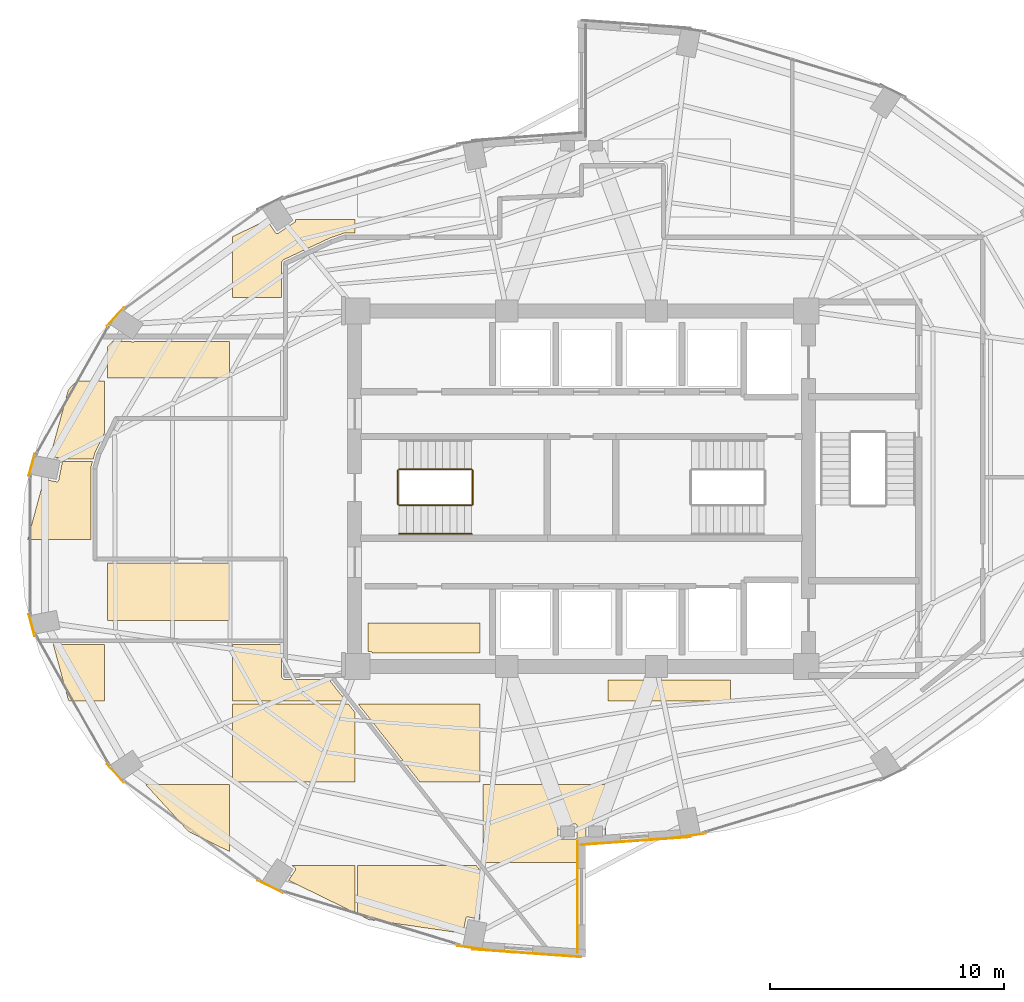
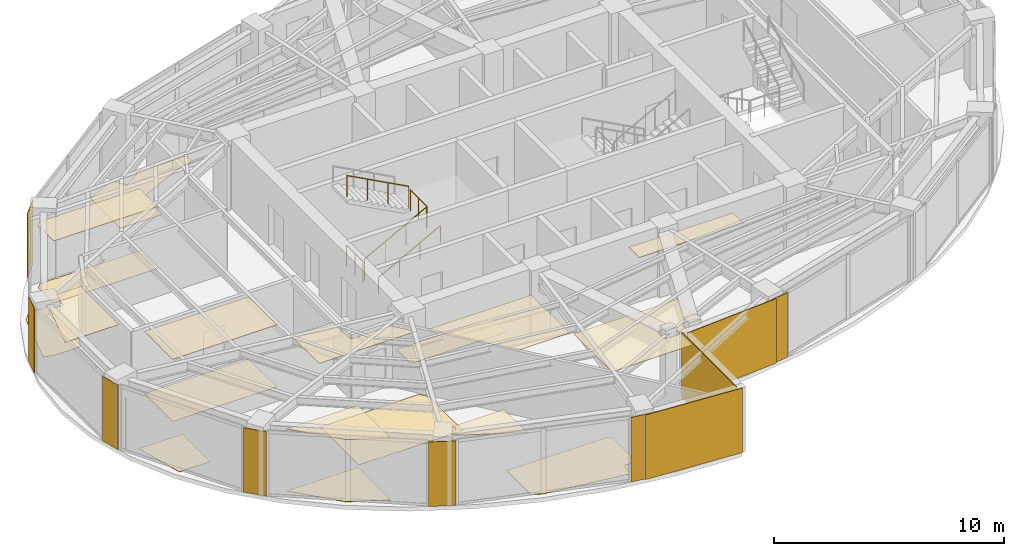
# One storey, part 19 of 20: 28 coverings, 5 railings.
"""IFC4 building model written with IfcOpenShell, lengths in metres."""

from ifc_helpers import new_model, si_unit, direction, frame, origin, origin_2d, place, context, subcontext, project, spatial, polyline, rectangle, circle, outline, extrude, material, layer, layer_set, type_object, element, save


model = new_model("IFC4")

# Units and contexts
model_context = context("Model", 3, precision=1e-05, world=origin(), true_north=direction((0.0, 1.0)))
body_context = subcontext(model_context, "Body", "Model", "MODEL_VIEW")
ifc_project = project(units=[si_unit("LENGTHUNIT", "METRE"), si_unit("AREAUNIT", "SQUARE_METRE"), si_unit("VOLUMEUNIT", "CUBIC_METRE"), si_unit("PLANEANGLEUNIT", "RADIAN"), si_unit("MASSUNIT", "GRAM", prefix="KILO")], contexts=[model_context])

# Site, building, storey
site_placement = place(None, origin())
site = spatial("IfcSite", under=ifc_project, at=site_placement, CompositionType="ELEMENT")
building_placement = place(site_placement, origin())
building = spatial("IfcBuilding", under=site, at=building_placement, Name="Lazwardi Medical Tower", CompositionType="ELEMENT")
storey_placement = place(building_placement, frame((0.0, 0.0, 149.23193359375)))
storey = spatial("IfcBuildingStorey", under=building, at=storey_placement, Name="L38", CompositionType="ELEMENT", Elevation=149.23193359375)

# Coverings
ifc_material_1 = material(Name="Anodised bronze aluminium cassette cladding", Category="aluminium")
ifc_layer_1 = layer(ifc_material_1, 0.030029296875)
ifc_layer_set_1 = layer_set([ifc_layer_1], Name="Anodised bronze aluminium cassette cladding")
covering_type_1 = type_object("IfcCoveringType", Name="COV-CLD-BRZ", PredefinedType="CLADDING", material=ifc_layer_set_1)
covering_1_placement = place(storey_placement, frame((40.67431640625, 13.17578125, 0.0), z_axis=(0.0, 0.0, 1.0), x_axis=(0.989539138138, 0.144264666823, 0.0)))
element("IfcCovering", 1, at=covering_1_placement, inside=storey, type_object=covering_type_1, Name="L38 Mega-column bronze cassette cover M01", PredefinedType="CLADDING", context=body_context, shape_type="SweptSolid", body=[
    extrude(rectangle(XDim=1.28515625, YDim=0.030029296875, at=origin_2d()), origin(), (0.0, 0.0, 1.0), 3.427978515625),
])
covering_2_placement = place(storey_placement, frame((16.07861328125, 35.356689453125, 0.0), z_axis=(0.0, 0.0, 1.0), x_axis=(-0.673714459537, -0.738991763832, 0.0)))
element("IfcCovering", 2, at=covering_2_placement, inside=storey, type_object=covering_type_1, Name="L38 Mega-column bronze cassette cover M11", PredefinedType="CLADDING", context=body_context, shape_type="SweptSolid", body=[
    extrude(rectangle(XDim=1.0693359375, YDim=0.030029296875, at=origin_2d()), origin(), (0.0, 0.0, 1.0), 3.427978515625),
])
for number, where, z_axis, x_axis, name in (
    (3, (12.501220703125, 29.026123046875, 0.0), (0.0, 0.0, 1.0), (-0.261828726257, -0.965114354938, 0.0), "L38 Mega-column bronze cassette cover M12"),
    (4, (12.501220703125, 22.173828125, 0.0), (0.0, 0.0, 1.0), (0.261828726257, -0.965114354938, 0.0), "L38 Mega-column bronze cassette cover M13"),
):
    element("IfcCovering", number, at=place(storey_placement, frame(where, z_axis=z_axis, x_axis=x_axis)), inside=storey, type_object=covering_type_1, Name=name, PredefinedType="CLADDING", context=body_context, shape_type="SweptSolid", body=[
        extrude(rectangle(XDim=0.9658203125, YDim=0.030029296875, at=origin_2d()), origin(), (0.0, 0.0, 1.0), 3.427978515625),
    ])
covering_3_placement = place(storey_placement, frame((16.07861328125, 15.84326171875, 0.0), z_axis=(0.0, 0.0, 1.0), x_axis=(0.673714459537, -0.738991763832, 0.0)))
element("IfcCovering", 5, at=covering_3_placement, inside=storey, type_object=covering_type_1, Name="L38 Mega-column bronze cassette cover M14", PredefinedType="CLADDING", context=body_context, shape_type="SweptSolid", body=[
    extrude(rectangle(XDim=1.0693359375, YDim=0.030029296875, at=origin_2d()), origin(), (0.0, 0.0, 1.0), 3.427978515625),
])
covering_4_placement = place(storey_placement, frame((22.68896484375, 10.998046875, 0.0), z_axis=(0.0, 0.0, 1.0), x_axis=(0.898079014814, -0.439834154144, 0.0)))
element("IfcCovering", 6, at=covering_4_placement, inside=storey, type_object=covering_type_1, Name="L38 Mega-column bronze cassette cover M15", PredefinedType="CLADDING", context=body_context, shape_type="SweptSolid", body=[
    extrude(rectangle(XDim=1.200439453125, YDim=0.030029296875, at=origin_2d()), origin(), (0.0, 0.0, 1.0), 3.427978515625),
])
covering_5_placement = place(storey_placement, frame((31.32568359375, 8.3759765625, 0.0), z_axis=(0.0, 0.0, 1.0), x_axis=(0.989539138138, -0.144264666823, 0.0)))
element("IfcCovering", 7, at=covering_5_placement, inside=storey, type_object=covering_type_1, Name="L38 Mega-column bronze cassette cover M16", PredefinedType="CLADDING", context=body_context, shape_type="SweptSolid", body=[
    extrude(rectangle(XDim=1.28515625, YDim=0.030029296875, at=origin_2d()), origin(), (0.0, 0.0, 1.0), 3.427978515625),
])
ifc_material_2 = material(Name="Turquoise glazed ceramic tilework cladding", Category="masonry")
ifc_layer_2 = layer(ifc_material_2, 0.034912109375)
ifc_layer_set_2 = layer_set([ifc_layer_2], Name="Turquoise glazed ceramic tilework cladding")
covering_type_2 = type_object("IfcCoveringType", Name="COV-CLD-TRQ", PredefinedType="CLADDING", material=ifc_layer_set_2)
covering_6_placement = place(storey_placement, frame((38.338134765625, 12.952392578125, 0.0), z_axis=(0.0, 0.0, 1.0), x_axis=(0.997414510753, 0.071863020663, 0.0)))
element("IfcCovering", 8, at=covering_6_placement, inside=storey, type_object=covering_type_2, Name="L38 Turquoise glazed ceramic tilework cladding", PredefinedType="CLADDING", context=body_context, shape_type="SweptSolid", body=[
    extrude(rectangle(XDim=4.6630859375, YDim=0.034912109375, at=origin_2d()), origin(), (0.0, 0.0, 1.0), 3.427978515625),
])
covering_7_placement = place(storey_placement, frame((33.66162109375, 8.152587890625, 0.0), z_axis=(0.0, 0.0, 1.0), x_axis=(0.997414134466, -0.071868243112, 0.0)))
element("IfcCovering", 9, at=covering_7_placement, inside=storey, type_object=covering_type_2, Name="L38 Turquoise glazed ceramic tilework cladding", PredefinedType="CLADDING", context=body_context, shape_type="SweptSolid", body=[
    extrude(rectangle(XDim=4.66259765625, YDim=0.034912109375, at=origin_2d()), origin(), (0.0, 0.0, 1.0), 3.427978515625),
])
covering_8_placement = place(storey_placement, frame((35.824462890625, 10.56005859375, 0.0), z_axis=(0.0, 0.0, 1.0), x_axis=(0.0, 1.0, 0.0)))
element("IfcCovering", 10, at=covering_8_placement, inside=storey, type_object=covering_type_2, Name="L38 Turquoise glazed ceramic tilework iwan panel", PredefinedType="CLADDING", context=body_context, shape_type="SweptSolid", body=[
    extrude(rectangle(XDim=4.800048828125, YDim=0.034912109375, at=origin_2d()), origin(), (0.0, 0.0, 1.0), 3.427978515625),
])
ifc_material_3 = material(Name="Acoustic mineral fibre tile")
ifc_layer_3 = layer(ifc_material_3, 0.02490234375)
ifc_layer_set_3 = layer_set([ifc_layer_3], Name="Acoustic mineral fibre tile")
covering_type_3 = type_object("IfcCoveringType", Name="COV-CLG-01", PredefinedType="CEILING", material=ifc_layer_set_3)
covering_9_placement = place(storey_placement, frame((0.0, 0.0, 3.282958984375)))
element("IfcCovering", 11, at=covering_9_placement, inside=storey, type_object=covering_type_3, Name="L38 Clinical Acoustic Ceiling 1", PredefinedType="CEILING", context=body_context, shape_type="SweptSolid", body=[
    extrude(outline(polyline([(13.810302734375, 29.152587890625), (13.65234375, 28.3583984375), (13.650390625, 28.3505859375), (13.647705078125, 28.34326171875), (13.644287109375, 28.336181640625), (13.640380859375, 28.32958984375), (13.635498046875, 28.322998046875), (13.63037109375, 28.3173828125), (13.62451171875, 28.31201171875), (13.6181640625, 28.307373046875), (13.611572265625, 28.30322265625), (13.6044921875, 28.300048828125), (13.596923828125, 28.29736328125), (13.58935546875, 28.29541015625), (13.58154296875, 28.294189453125), (13.57373046875, 28.2939453125), (13.56591796875, 28.294189453125), (13.55810546875, 28.29541015625), (13.02490234375, 28.401611328125), (12.323486328125, 25.822509765625), (15.02490234375, 25.822509765625), (15.02490234375, 28.881103515625), (15.025146484375, 28.884765625), (15.025390625, 28.8935546875), (15.026123046875, 28.90087890625), (15.02734375, 28.90966796875), (15.02880859375, 28.91650390625), (15.03076171875, 28.92529296875), (15.031494140625, 28.928955078125), (15.09521484375, 29.152587890625), (13.810302734375, 29.152587890625)])), origin(), (0.0, 0.0, 1.0), 0.025146484375),
])
covering_10_placement = place(storey_placement, frame((0.0, 0.0, 3.282958984375)))
element("IfcCovering", 12, at=covering_10_placement, inside=storey, type_object=covering_type_3, Name="L38 Clinical Acoustic Ceiling 2", PredefinedType="CEILING", context=body_context, shape_type="SweptSolid", body=[
    extrude(outline(polyline([(17.37353515625, 15.3525390625), (19.20556640625, 13.347412109375), (20.962890625, 12.488525390625), (20.962890625, 15.3525390625), (17.37353515625, 15.3525390625)])), origin(), (0.0, 0.0, 1.0), 0.025146484375),
])
covering_11_placement = place(storey_placement, frame((0.0, 0.0, 3.282958984375)))
element("IfcCovering", 13, at=covering_11_placement, inside=storey, type_object=covering_type_3, Name="L38 Clinical Acoustic Ceiling 3", PredefinedType="CEILING", context=body_context, shape_type="SweptSolid", body=[
    extrude(outline(polyline([(20.962890625, 24.824951171875), (15.73291015625, 24.824951171875), (15.73291015625, 22.37255859375), (20.962890625, 22.37255859375), (20.962890625, 24.824951171875)])), origin(), (0.0, 0.0, 1.0), 0.025146484375),
])
covering_12_placement = place(storey_placement, frame((0.0, 0.0, 3.282958984375)))
element("IfcCovering", 14, at=covering_12_placement, inside=storey, type_object=covering_type_3, Name="L38 Clinical Acoustic Ceiling 4", PredefinedType="CEILING", context=body_context, shape_type="SweptSolid", body=[
    extrude(outline(polyline([(20.962890625, 34.300048828125), (16.887939453125, 34.300048828125), (16.88671875, 34.29833984375), (16.882080078125, 34.2919921875), (16.876708984375, 34.2861328125), (16.87109375, 34.281005859375), (16.86474609375, 34.276123046875), (16.85791015625, 34.272216796875), (16.850830078125, 34.268798828125), (16.843505859375, 34.26611328125), (16.835693359375, 34.26416015625), (16.827880859375, 34.26318359375), (16.8203125, 34.2626953125), (16.8125, 34.26318359375), (16.8046875, 34.26416015625), (16.797119140625, 34.26611328125), (16.78955078125, 34.268798828125), (16.782470703125, 34.272216796875), (16.775634765625, 34.276123046875), (16.739990234375, 34.300048828125), (15.959716796875, 34.300048828125), (15.73291015625, 34.0517578125), (15.73291015625, 32.722412109375), (20.962890625, 32.722412109375), (20.962890625, 34.300048828125)])), origin(), (0.0, 0.0, 1.0), 0.025146484375),
])
covering_13_placement = place(storey_placement, frame((0.0, 0.0, 3.282958984375)))
element("IfcCovering", 15, at=covering_13_placement, inside=storey, type_object=covering_type_3, Name="L38 Clinical Acoustic Ceiling 5", PredefinedType="CEILING", context=body_context, shape_type="SweptSolid", body=[
    extrude(outline(polyline([(23.604736328125, 11.902587890625), (23.74609375, 11.80810546875), (23.75244140625, 11.803466796875), (23.75830078125, 11.798095703125), (23.763427734375, 11.79248046875), (23.76806640625, 11.785888671875), (23.772216796875, 11.779296875), (23.775390625, 11.772216796875), (23.7783203125, 11.764892578125), (23.780029296875, 11.757080078125), (23.78125, 11.74951171875), (23.781494140625, 11.74169921875), (23.78125, 11.73388671875), (23.780029296875, 11.72607421875), (23.7783203125, 11.718505859375), (23.775390625, 11.7109375), (23.772216796875, 11.703857421875), (23.76806640625, 11.697021484375), (23.476318359375, 11.260498046875), (26.31298828125, 9.87451171875), (26.31298828125, 11.902587890625), (23.604736328125, 11.902587890625)])), origin(), (0.0, 0.0, 1.0), 0.025146484375),
])
covering_14_placement = place(storey_placement, frame((0.0, 0.0, 3.282958984375)))
element("IfcCovering", 16, at=covering_14_placement, inside=storey, type_object=covering_type_3, Name="L38 Clinical Acoustic Ceiling 6", PredefinedType="CEILING", context=body_context, shape_type="SweptSolid", body=[
    extrude(outline(polyline([(25.93408203125, 18.922607421875), (25.203857421875, 19.844970703125), (23.35009765625, 19.844970703125), (23.345703125, 19.84521484375), (23.33642578125, 19.845703125), (23.32958984375, 19.84619140625), (23.3203125, 19.84765625), (23.31201171875, 19.84912109375), (23.302734375, 19.8515625), (23.2958984375, 19.853515625), (23.287109375, 19.856689453125), (23.279296875, 19.860107421875), (23.270751953125, 19.864013671875), (23.263916015625, 19.86767578125), (23.256103515625, 19.872314453125), (23.249267578125, 19.876953125), (23.24169921875, 19.882568359375), (23.236083984375, 19.88720703125), (23.229248046875, 19.893310546875), (23.223388671875, 19.8994140625), (23.217041015625, 19.90625), (23.21240234375, 19.911865234375), (23.206787109375, 19.919189453125), (23.202392578125, 19.926025390625), (23.197509765625, 19.93408203125), (23.194091796875, 19.94091796875), (23.18994140625, 19.94921875), (23.186767578125, 19.95703125), (23.18359375, 19.9658203125), (23.181396484375, 19.972900390625), (23.17919921875, 19.98193359375), (23.177490234375, 19.990234375), (23.17626953125, 19.99951171875), (23.175537109375, 20.00634765625), (23.175048828125, 20.015625), (23.175048828125, 20.02001953125), (23.175048828125, 21.3349609375), (21.0830078125, 21.3349609375), (21.0830078125, 18.922607421875), (25.93408203125, 18.922607421875)])), origin(), (0.0, 0.0, 1.0), 0.025146484375),
])
covering_15_placement = place(storey_placement, frame((0.0, 0.0, 3.282958984375)))
element("IfcCovering", 17, at=covering_15_placement, inside=storey, type_object=covering_type_3, Name="L38 Clinical Acoustic Ceiling 7", PredefinedType="CEILING", context=body_context, shape_type="SweptSolid", body=[
    extrude(outline(polyline([(26.4501953125, 18.802490234375), (29.08642578125, 15.472412109375), (31.662841796875, 15.472412109375), (31.662841796875, 18.802490234375), (26.4501953125, 18.802490234375)])), origin(), (0.0, 0.0, 1.0), 0.025146484375),
])
covering_16_placement = place(storey_placement, frame((0.0, 0.0, 3.282958984375)))
element("IfcCovering", 18, at=covering_16_placement, inside=storey, type_object=covering_type_3, Name="L38 Clinical Acoustic Ceiling 8", PredefinedType="CEILING", context=body_context, shape_type="SweptSolid", body=[
    extrude(outline(polyline([(31.782958984375, 12.06640625), (31.817626953125, 12.0224609375), (35.919921875, 12.0224609375), (35.919921875, 12.97998046875), (35.92041015625, 12.987548828125), (35.92138671875, 12.9951171875), (35.923095703125, 13.00244140625), (35.92578125, 13.009765625), (35.928955078125, 13.0166015625), (35.9326171875, 13.023193359375), (35.93701171875, 13.029296875), (35.942138671875, 13.03515625), (35.947509765625, 13.040283203125), (35.95361328125, 13.045166015625), (35.9599609375, 13.04931640625), (35.966796875, 13.052734375), (35.9736328125, 13.0556640625), (35.98095703125, 13.0576171875), (35.988525390625, 13.05908203125), (36.201416015625, 13.090087890625), (36.200439453125, 13.09716796875), (36.199951171875, 13.10498046875), (36.199951171875, 13.594970703125), (36.200439453125, 13.602783203125), (36.201416015625, 13.610595703125), (36.203369140625, 13.6181640625), (36.2060546875, 13.62548828125), (36.20947265625, 13.6328125), (36.21337890625, 13.639404296875), (36.21826171875, 13.645751953125), (36.223388671875, 13.651611328125), (36.229248046875, 13.65673828125), (36.235595703125, 13.66162109375), (36.2421875, 13.66552734375), (36.24951171875, 13.6689453125), (36.2568359375, 13.671630859375), (36.264404296875, 13.673583984375), (36.272216796875, 13.674560546875), (36.280029296875, 13.675048828125), (36.919921875, 13.675048828125), (36.927734375, 13.674560546875), (36.935546875, 13.673583984375), (36.943115234375, 13.671630859375), (36.95068359375, 13.6689453125), (36.957763671875, 13.66552734375), (36.96435546875, 13.66162109375), (36.970703125, 13.65673828125), (36.9765625, 13.651611328125), (36.981689453125, 13.645751953125), (36.986572265625, 13.639404296875), (36.990478515625, 13.6328125), (36.993896484375, 13.62548828125), (36.99658203125, 13.6181640625), (36.99853515625, 13.610595703125), (36.99951171875, 13.602783203125), (37.0, 13.594970703125), (37.0, 13.206298828125), (37.012939453125, 13.208251953125), (37.012939453125, 15.3525390625), (31.782958984375, 15.3525390625), (31.782958984375, 12.06640625)]), holes=[polyline([(35.7431640625, 13.0283203125), (35.735595703125, 13.026611328125), (35.727783203125, 13.025390625), (35.719970703125, 13.02490234375), (35.080078125, 13.02490234375), (35.072265625, 13.025390625), (35.064453125, 13.026611328125), (35.056884765625, 13.0283203125), (35.04931640625, 13.031005859375), (35.042236328125, 13.034423828125), (35.03564453125, 13.03857421875), (35.029296875, 13.043212890625), (35.0234375, 13.04833984375), (35.018310546875, 13.05419921875), (35.013427734375, 13.060546875), (35.009521484375, 13.0673828125), (35.006103515625, 13.074462890625), (35.00341796875, 13.081787109375), (35.00146484375, 13.08935546875), (35.00048828125, 13.09716796875), (35.0, 13.10498046875), (35.0, 13.594970703125), (35.00048828125, 13.602783203125), (35.00146484375, 13.610595703125), (35.00341796875, 13.6181640625), (35.006103515625, 13.62548828125), (35.009521484375, 13.6328125), (35.013427734375, 13.639404296875), (35.018310546875, 13.645751953125), (35.0234375, 13.651611328125), (35.029296875, 13.65673828125), (35.03564453125, 13.66162109375), (35.042236328125, 13.66552734375), (35.04931640625, 13.6689453125), (35.056884765625, 13.671630859375), (35.064453125, 13.673583984375), (35.072265625, 13.674560546875), (35.080078125, 13.675048828125), (35.719970703125, 13.675048828125), (35.727783203125, 13.674560546875), (35.735595703125, 13.673583984375), (35.7431640625, 13.671630859375), (35.75048828125, 13.6689453125), (35.7578125, 13.66552734375), (35.764404296875, 13.66162109375), (35.770751953125, 13.65673828125), (35.776611328125, 13.651611328125), (35.78173828125, 13.645751953125), (35.78662109375, 13.639404296875), (35.79052734375, 13.6328125), (35.7939453125, 13.62548828125), (35.796630859375, 13.6181640625), (35.798583984375, 13.610595703125), (35.799560546875, 13.602783203125), (35.800048828125, 13.594970703125), (35.800048828125, 13.10498046875), (35.799560546875, 13.09716796875), (35.798583984375, 13.08935546875), (35.796630859375, 13.081787109375), (35.7939453125, 13.074462890625), (35.79052734375, 13.0673828125), (35.78662109375, 13.060546875), (35.78173828125, 13.05419921875), (35.776611328125, 13.04833984375), (35.770751953125, 13.043212890625), (35.764404296875, 13.03857421875), (35.7578125, 13.034423828125), (35.75048828125, 13.031005859375), (35.7431640625, 13.0283203125)])]), origin(), (0.0, 0.0, 1.0), 0.025146484375),
])
covering_17_placement = place(storey_placement, frame((0.0, 0.0, 3.282958984375)))
element("IfcCovering", 19, at=covering_17_placement, inside=storey, type_object=covering_type_3, Name="L38 Clinical Acoustic Ceiling 9", PredefinedType="CEILING", context=body_context, shape_type="SweptSolid", body=[
    extrude(outline(polyline([(42.36279296875, 19.820068359375), (37.1328125, 19.820068359375), (37.1328125, 18.922607421875), (42.36279296875, 18.922607421875), (42.36279296875, 19.820068359375)])), origin(), (0.0, 0.0, 1.0), 0.025146484375),
])
ifc_material_4 = material(Name="Anti-static hospital vinyl sheet flooring")
ifc_layer_4 = layer(ifc_material_4, 0.014892578125)
ifc_layer_set_4 = layer_set([ifc_layer_4], Name="Anti-static hospital vinyl sheet flooring")
covering_type_4 = type_object("IfcCoveringType", Name="COV-FLR-01", PredefinedType="FLOORING", material=ifc_layer_set_4)
covering_18_placement = place(storey_placement, origin())
element("IfcCovering", 20, at=covering_18_placement, inside=storey, type_object=covering_type_4, Name="L38 Clinical Vinyl Flooring 1", PredefinedType="FLOORING", context=body_context, shape_type="SweptSolid", body=[
    extrude(outline(polyline([(15.61279296875, 21.3349609375), (13.423095703125, 21.3349609375), (14.065185546875, 18.973388671875), (14.11181640625, 18.922607421875), (15.61279296875, 18.922607421875), (15.61279296875, 21.3349609375)])), origin(), (0.0, 0.0, 1.0), 0.01513671875),
])
covering_19_placement = place(storey_placement, origin())
element("IfcCovering", 21, at=covering_19_placement, inside=storey, type_object=covering_type_4, Name="L38 Clinical Vinyl Flooring 2", PredefinedType="FLOORING", context=body_context, shape_type="SweptSolid", body=[
    extrude(outline(polyline([(14.40869140625, 32.6025390625), (14.065185546875, 32.2265625), (13.293212890625, 29.38818359375), (13.757080078125, 29.2958984375), (13.764892578125, 29.2939453125), (13.772216796875, 29.291259765625), (13.779296875, 29.2880859375), (13.785888671875, 29.283935546875), (13.79248046875, 29.279296875), (13.798095703125, 29.27392578125), (13.799560546875, 29.2724609375), (15.129150390625, 29.2724609375), (15.199462890625, 29.519775390625), (15.200439453125, 29.523193359375), (15.203125, 29.531005859375), (15.20556640625, 29.53759765625), (15.208984375, 29.545166015625), (15.210205078125, 29.548095703125), (15.61279296875, 30.37890625), (15.61279296875, 32.6025390625), (14.40869140625, 32.6025390625)])), origin(), (0.0, 0.0, 1.0), 0.01513671875),
])
covering_20_placement = place(storey_placement, origin())
element("IfcCovering", 22, at=covering_20_placement, inside=storey, type_object=covering_type_4, Name="L38 Clinical Vinyl Flooring 3", PredefinedType="FLOORING", context=body_context, shape_type="SweptSolid", body=[
    extrude(outline(polyline([(17.37353515625, 15.3525390625), (19.20556640625, 13.347412109375), (20.962890625, 12.488525390625), (20.962890625, 15.3525390625), (17.37353515625, 15.3525390625)])), origin(), (0.0, 0.0, 1.0), 0.01513671875),
])
covering_21_placement = place(storey_placement, origin())
element("IfcCovering", 23, at=covering_21_placement, inside=storey, type_object=covering_type_4, Name="L38 Clinical Vinyl Flooring 4", PredefinedType="FLOORING", context=body_context, shape_type="SweptSolid", body=[
    extrude(outline(polyline([(20.962890625, 24.824951171875), (15.73291015625, 24.824951171875), (15.73291015625, 22.37255859375), (20.962890625, 22.37255859375), (20.962890625, 24.824951171875)])), origin(), (0.0, 0.0, 1.0), 0.01513671875),
])
covering_22_placement = place(storey_placement, origin())
element("IfcCovering", 24, at=covering_22_placement, inside=storey, type_object=covering_type_4, Name="L38 Clinical Vinyl Flooring 5", PredefinedType="FLOORING", context=body_context, shape_type="SweptSolid", body=[
    extrude(outline(polyline([(20.962890625, 34.300048828125), (16.887939453125, 34.300048828125), (16.88671875, 34.29833984375), (16.882080078125, 34.2919921875), (16.876708984375, 34.2861328125), (16.87109375, 34.281005859375), (16.86474609375, 34.276123046875), (16.85791015625, 34.272216796875), (16.850830078125, 34.268798828125), (16.843505859375, 34.26611328125), (16.835693359375, 34.26416015625), (16.827880859375, 34.26318359375), (16.8203125, 34.2626953125), (16.8125, 34.26318359375), (16.8046875, 34.26416015625), (16.797119140625, 34.26611328125), (16.78955078125, 34.268798828125), (16.782470703125, 34.272216796875), (16.775634765625, 34.276123046875), (16.739990234375, 34.300048828125), (15.959716796875, 34.300048828125), (15.73291015625, 34.0517578125), (15.73291015625, 32.722412109375), (20.962890625, 32.722412109375), (20.962890625, 34.300048828125)])), origin(), (0.0, 0.0, 1.0), 0.01513671875),
])
covering_23_placement = place(storey_placement, origin())
element("IfcCovering", 25, at=covering_23_placement, inside=storey, type_object=covering_type_4, Name="L38 Clinical Vinyl Flooring 6", PredefinedType="FLOORING", context=body_context, shape_type="SweptSolid", body=[
    extrude(outline(polyline([(26.31298828125, 18.444091796875), (26.029296875, 18.802490234375), (21.0830078125, 18.802490234375), (21.0830078125, 15.472412109375), (26.31298828125, 15.472412109375), (26.31298828125, 18.444091796875)])), origin(), (0.0, 0.0, 1.0), 0.01513671875),
])
covering_24_placement = place(storey_placement, origin())
element("IfcCovering", 26, at=covering_24_placement, inside=storey, type_object=covering_type_4, Name="L38 Clinical Vinyl Flooring 7", PredefinedType="FLOORING", context=body_context, shape_type="SweptSolid", body=[
    extrude(outline(polyline([(23.768310546875, 39.50244140625), (23.772216796875, 39.49609375), (23.775390625, 39.489013671875), (23.7783203125, 39.481689453125), (23.780029296875, 39.47412109375), (23.78125, 39.46630859375), (23.781494140625, 39.45849609375), (23.78125, 39.45068359375), (23.780029296875, 39.44287109375), (23.7783203125, 39.435302734375), (23.775390625, 39.427734375), (23.772216796875, 39.420654296875), (23.76806640625, 39.4140625), (23.763427734375, 39.40771484375), (23.75830078125, 39.40185546875), (23.75244140625, 39.396484375), (23.74609375, 39.391845703125), (23.031005859375, 38.9140625), (23.024169921875, 38.909912109375), (23.01708984375, 38.90673828125), (23.009765625, 38.904052734375), (23.002197265625, 38.902099609375), (22.994384765625, 38.90087890625), (22.986572265625, 38.900634765625), (22.978759765625, 38.90087890625), (22.970947265625, 38.902099609375), (22.96337890625, 38.904052734375), (22.955810546875, 38.90673828125), (22.94873046875, 38.909912109375), (22.942138671875, 38.9140625), (22.935791015625, 38.918701171875), (22.929931640625, 38.924072265625), (22.9248046875, 38.929931640625), (22.919921875, 38.936279296875), (22.551513671875, 39.487548828125), (21.0830078125, 38.77001953125), (21.0830078125, 36.172607421875), (23.175048828125, 36.172607421875), (23.175048828125, 37.6337890625), (23.175048828125, 37.637451171875), (23.175537109375, 37.646484375), (23.17626953125, 37.654296875), (23.177490234375, 37.663330078125), (23.178955078125, 37.67041015625), (23.180908203125, 37.67919921875), (23.18310546875, 37.686279296875), (23.18603515625, 37.694580078125), (23.18896484375, 37.7021484375), (23.192626953125, 37.710205078125), (23.19580078125, 37.71630859375), (23.2001953125, 37.72412109375), (23.204345703125, 37.730712890625), (23.20947265625, 37.73828125), (23.214111328125, 37.744140625), (23.219970703125, 37.7509765625), (23.2255859375, 37.7568359375), (23.232177734375, 37.76318359375), (23.2373046875, 37.767578125), (23.244384765625, 37.773193359375), (23.25048828125, 37.77783203125), (23.258056640625, 37.78271484375), (23.26416015625, 37.786376953125), (23.272216796875, 37.79052734375), (23.27587890625, 37.79248046875), (25.245849609375, 38.714111328125), (25.24951171875, 38.7158203125), (25.2587890625, 38.719482421875), (25.262939453125, 38.72119140625), (25.825439453125, 38.915283203125), (25.82958984375, 38.916748046875), (25.83984375, 38.919677734375), (25.848876953125, 38.921630859375), (25.859130859375, 38.92333984375), (25.867431640625, 38.92431640625), (25.8779296875, 38.9248046875), (25.882568359375, 38.925048828125), (26.31298828125, 38.925048828125), (26.31298828125, 39.50244140625), (23.768310546875, 39.50244140625)])), origin(), (0.0, 0.0, 1.0), 0.01513671875),
])
covering_25_placement = place(storey_placement, origin())
element("IfcCovering", 27, at=covering_25_placement, inside=storey, type_object=covering_type_4, Name="L38 Clinical Vinyl Flooring 8", PredefinedType="FLOORING", context=body_context, shape_type="SweptSolid", body=[
    extrude(outline(polyline([(31.662841796875, 11.686279296875), (31.49169921875, 11.902587890625), (26.432861328125, 11.902587890625), (26.432861328125, 9.815673828125), (26.908447265625, 9.58349609375), (30.92919921875, 8.99853515625), (31.0556640625, 9.63427734375), (31.0576171875, 9.641845703125), (31.060302734375, 9.6494140625), (31.0634765625, 9.656494140625), (31.067626953125, 9.6630859375), (31.072265625, 9.66943359375), (31.077392578125, 9.67529296875), (31.083251953125, 9.680419921875), (31.089599609375, 9.685302734375), (31.096435546875, 9.689208984375), (31.103515625, 9.692626953125), (31.11083984375, 9.6953125), (31.118408203125, 9.697265625), (31.126220703125, 9.6982421875), (31.134033203125, 9.69873046875), (31.141845703125, 9.6982421875), (31.149658203125, 9.697265625), (31.662841796875, 9.59521484375), (31.662841796875, 11.686279296875)])), origin(), (0.0, 0.0, 1.0), 0.01513671875),
])
covering_26_placement = place(storey_placement, origin())
element("IfcCovering", 28, at=covering_26_placement, inside=storey, type_object=covering_type_4, Name="L38 Clinical Vinyl Flooring 9", PredefinedType="FLOORING", context=body_context, shape_type="SweptSolid", body=[
    extrude(outline(polyline([(26.8798828125, 22.25244140625), (26.8798828125, 21.050048828125), (26.969970703125, 21.050048828125), (26.977783203125, 21.049560546875), (26.985595703125, 21.048583984375), (26.9931640625, 21.046630859375), (27.00048828125, 21.0439453125), (27.0078125, 21.04052734375), (27.014404296875, 21.03662109375), (27.020751953125, 21.03173828125), (27.026611328125, 21.026611328125), (27.03173828125, 21.020751953125), (27.03662109375, 21.014404296875), (27.04052734375, 21.0078125), (27.0439453125, 21.00048828125), (27.046630859375, 20.9931640625), (27.048583984375, 20.985595703125), (27.04931640625, 20.97998046875), (31.662841796875, 20.97998046875), (31.662841796875, 22.25244140625), (26.8798828125, 22.25244140625)])), origin(), (0.0, 0.0, 1.0), 0.01513671875),
])

# Railings
ifc_material_5 = material(Name="Stainless steel Grade 316", Category="steel")
railing_type_1 = type_object("IfcRailingType", Name="RLG-GRD-1150", PredefinedType="GUARDRAIL", material=ifc_material_5)
railing_1_placement = place(storey_placement, frame((28.199951171875, 27.2900390625, 0.165771484375)))
element("IfcRailing", 29, at=railing_1_placement, inside=storey, type_object=railing_type_1, Name="L38 ST1 stair guard 1", PredefinedType="GUARDRAIL", context=body_context, shape_type="SweptSolid", body=[
    extrude(circle(Radius=0.02392578125, at=origin_2d()), frame((0.0, 0.0, 1.1259765625), z_axis=(0.881783298633, 0.0, 0.471654761719), x_axis=(0.0, 1.0, 0.0)), (0.0, 0.0, 1.0), 3.515625),
    extrude(circle(Radius=0.02099609375, at=origin_2d()), origin(), (0.0, 0.0, 1.0), 1.099853515625),
    extrude(circle(Radius=0.02099609375, at=origin_2d()), frame((1.033447265625, 0.0, 0.552734375)), (0.0, 0.0, 1.0), 1.099853515625),
    extrude(circle(Radius=0.02099609375, at=origin_2d()), frame((2.066650390625, 0.0, 1.10546875)), (0.0, 0.0, 1.0), 1.099853515625),
    extrude(circle(Radius=0.02099609375, at=origin_2d()), frame((3.10009765625, 0.0, 1.658203125)), (0.0, 0.0, 1.0), 1.099853515625),
])
railing_2_placement = place(storey_placement, frame((31.35009765625, 27.340087890625, 1.823974609375)))
element("IfcRailing", 30, at=railing_2_placement, inside=storey, type_object=railing_type_1, Name="L38 ST1 stair guard 2", PredefinedType="GUARDRAIL", context=body_context, shape_type="SweptSolid", body=[
    extrude(circle(Radius=0.02392578125, at=origin_2d()), frame((0.0, 0.0, 1.1259765625), z_axis=(0.0, 1.0, 0.0), x_axis=(-1.0, 0.0, 0.0)), (0.0, 0.0, 1.0), 1.43994140625),
    extrude(circle(Radius=0.02099609375, at=origin_2d()), origin(), (0.0, 0.0, 1.0), 1.099853515625),
    extrude(circle(Radius=0.02099609375, at=origin_2d()), frame((0.0, 0.719970703125, 0.0)), (0.0, 0.0, 1.0), 1.099853515625),
    extrude(circle(Radius=0.02099609375, at=origin_2d()), frame((0.0, 1.43994140625, 0.0)), (0.0, 0.0, 1.0), 1.099853515625),
])
railing_3_placement = place(storey_placement, frame((31.300048828125, 28.830078125, 1.989990234375)))
element("IfcRailing", 31, at=railing_3_placement, inside=storey, type_object=railing_type_1, Name="L38 ST1 stair guard 3", PredefinedType="GUARDRAIL", context=body_context, shape_type="SweptSolid", body=[
    extrude(circle(Radius=0.02392578125, at=origin_2d()), frame((0.0, 0.0, 1.1259765625), z_axis=(-0.881812178953, 0.0, 0.471600764472), x_axis=(0.0, -1.0, 0.0)), (0.0, 0.0, 1.0), 3.515625),
    extrude(circle(Radius=0.02099609375, at=origin_2d()), origin(), (0.0, 0.0, 1.0), 1.099853515625),
    extrude(circle(Radius=0.02099609375, at=origin_2d()), frame((-1.033447265625, 0.0, 0.552734375)), (0.0, 0.0, 1.0), 1.099853515625),
    extrude(circle(Radius=0.02099609375, at=origin_2d()), frame((-2.066650390625, 0.0, 1.105224609375)), (0.0, 0.0, 1.0), 1.099853515625),
    extrude(circle(Radius=0.02099609375, at=origin_2d()), frame((-3.10009765625, 0.0, 1.657958984375)), (0.0, 0.0, 1.0), 1.099853515625),
])
railing_4_placement = place(storey_placement, frame((28.14990234375, 27.340087890625, 0.0)))
element("IfcRailing", 32, at=railing_4_placement, inside=storey, type_object=railing_type_1, Name="L38 ST1 stair guard 4", PredefinedType="GUARDRAIL", context=body_context, shape_type="SweptSolid", body=[
    extrude(circle(Radius=0.02392578125, at=origin_2d()), frame((0.0, 0.0, 1.1259765625), z_axis=(0.0, 1.0, 0.0), x_axis=(-1.0, 0.0, 0.0)), (0.0, 0.0, 1.0), 1.43994140625),
    extrude(circle(Radius=0.02099609375, at=origin_2d()), origin(), (0.0, 0.0, 1.0), 1.099853515625),
    extrude(circle(Radius=0.02099609375, at=origin_2d()), frame((0.0, 0.719970703125, 0.0)), (0.0, 0.0, 1.0), 1.099853515625),
    extrude(circle(Radius=0.02099609375, at=origin_2d()), frame((0.0, 1.43994140625, 0.0)), (0.0, 0.0, 1.0), 1.099853515625),
])
railing_type_2 = type_object("IfcRailingType", Name="RLG-HND-920", PredefinedType="HANDRAIL", material=ifc_material_5)
railing_5_placement = place(storey_placement, frame((28.199951171875, 26.070068359375, 0.165771484375)))
element("IfcRailing", 33, at=railing_5_placement, inside=storey, type_object=railing_type_2, Name="L38 ST1 stair handrail 1", PredefinedType="HANDRAIL", context=body_context, shape_type="SweptSolid", body=[
    extrude(circle(Radius=0.02392578125, at=origin_2d()), frame((0.0, 0.0, 0.8857421875), z_axis=(0.881783298633, 0.0, 0.471654761719), x_axis=(0.0, 1.0, 0.0)), (0.0, 0.0, 1.0), 3.515625),
    extrude(circle(Radius=0.02099609375, at=origin_2d()), origin(), (0.0, 0.0, 1.0), 0.85986328125),
    extrude(circle(Radius=0.02099609375, at=origin_2d()), frame((1.033447265625, 0.0, 0.552734375)), (0.0, 0.0, 1.0), 0.85986328125),
    extrude(circle(Radius=0.02099609375, at=origin_2d()), frame((2.066650390625, 0.0, 1.10546875)), (0.0, 0.0, 1.0), 0.85986328125),
    extrude(circle(Radius=0.02099609375, at=origin_2d()), frame((3.10009765625, 0.0, 1.658203125)), (0.0, 0.0, 1.0), 0.85986328125),
])

save(model, "model.ifc")
